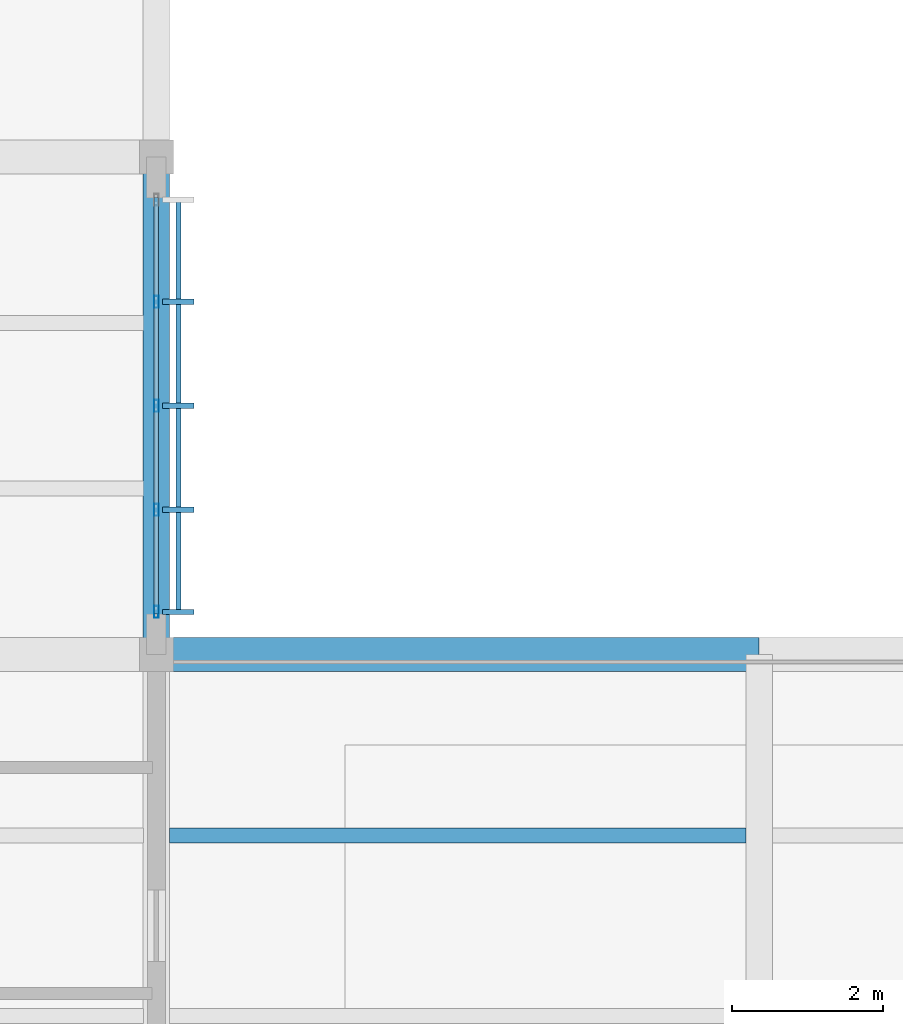
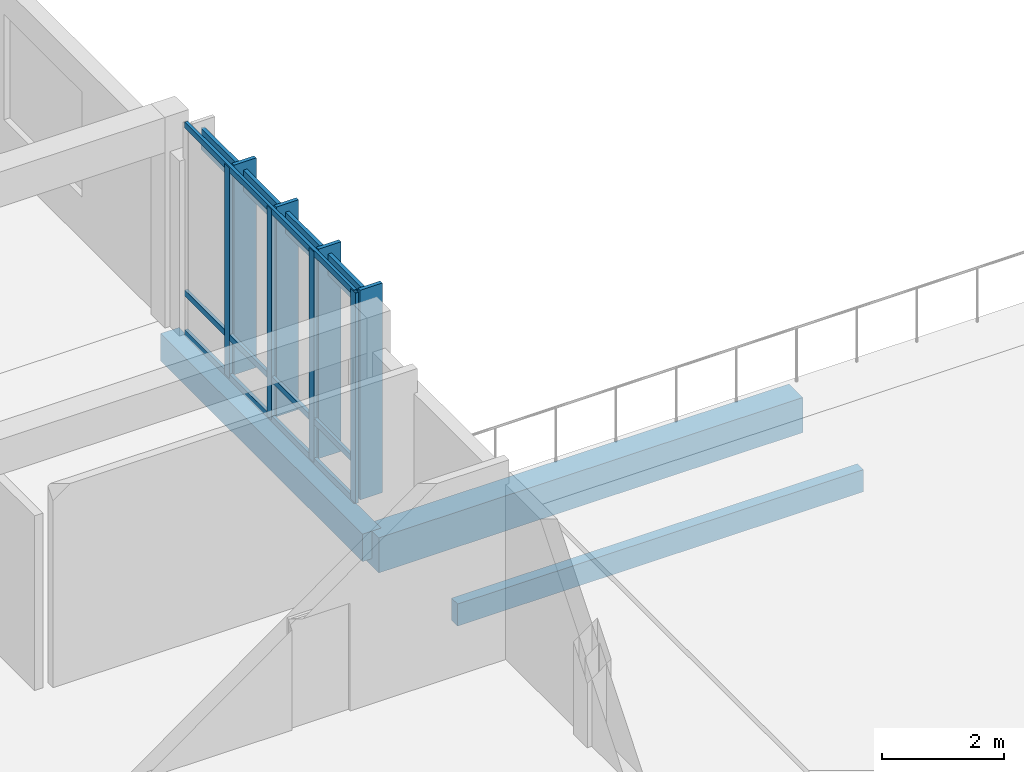
# One storey, part 13 of 107: 12 members, 3 beams, 1 element without a shape of its own.
"""IFC4 building model written with IfcOpenShell, lengths in metres."""

from ifc_helpers import new_model, si_unit, direction, frame, origin, origin_2d, place, context, subcontext, project, spatial, rectangle, hollow_rectangle, extrude, material, material_profile, profile_set, type_object, element, aggregate, save


model = new_model("IFC4")

# Units and contexts
model_context = context("Model", 3, precision=1e-05, world=origin(), true_north=direction((0.0, 1.0)))
body_context = subcontext(model_context, "Body", "Model", "MODEL_VIEW")
ifc_project = project(units=[si_unit("LENGTHUNIT", "METRE"), si_unit("AREAUNIT", "SQUARE_METRE"), si_unit("VOLUMEUNIT", "CUBIC_METRE"), si_unit("PLANEANGLEUNIT", "RADIAN"), si_unit("MASSUNIT", "GRAM", prefix="KILO")], contexts=[model_context])

# Site, building, storey
site_placement = place(None, origin())
site = spatial("IfcSite", under=ifc_project, at=site_placement, CompositionType="ELEMENT")
building_placement = place(site_placement, origin())
building = spatial("IfcBuilding", under=site, at=building_placement, Name="Chiffa Square Polytechnic", CompositionType="ELEMENT")
storey_placement = place(building_placement, frame((0.0, 0.0, 13.800048828125)))
storey = spatial("IfcBuildingStorey", under=building, at=storey_placement, Name="L03", CompositionType="ELEMENT", Elevation=13.800048828125)

# Beams
ifc_material_1 = material(Name="Concrete C35/45", Category="concrete")
ifc_material_profile_1 = material_profile(ifc_material_1, rectangle(XDim=0.35009765625, YDim=0.550048828125, at=origin_2d()), Name="RC 350x550")
ifc_profile_set_1 = profile_set([ifc_material_profile_1], Name="Concrete C35/45")
beam_type_1 = type_object("IfcBeamType", Name="BM-RC-350X550", PredefinedType="BEAM", material=ifc_profile_set_1)
beam_1_placement = place(storey_placement, frame((32.0, 51.0, -0.53515625), z_axis=(0.0, 1.0, 0.0), x_axis=(-1.0, 0.0, 0.0)))
element("IfcBeam", 1, at=beam_1_placement, inside=storey, type_object=beam_type_1, Name="Primary floor girder BM-V6-L03-Y-0320-0510", PredefinedType="BEAM", context=body_context, shape_type="SweptSolid", body=[
    extrude(rectangle(XDim=0.35009765625, YDim=0.550048828125, at=origin_2d()), origin(), (0.0, 0.0, 1.0), 6.60009765625),
])
ifc_material_profile_2 = material_profile(ifc_material_1, rectangle(XDim=0.449951171875, YDim=0.699951171875, at=origin_2d()), Name="RC 450x700")
ifc_profile_set_2 = profile_set([ifc_material_profile_2], Name="Concrete C35/45")
beam_type_2 = type_object("IfcBeamType", Name="BM-RC-450X700", PredefinedType="BEAM", material=ifc_profile_set_2)
beam_2_placement = place(storey_placement, frame((32.0, 51.0, -0.610107421875), z_axis=(1.0, 0.0, 0.0), x_axis=(0.0, 1.0, 0.0)))
element("IfcBeam", 2, at=beam_2_placement, inside=storey, type_object=beam_type_2, Name="Primary floor girder BM-V6-L03-X-0320-0510", PredefinedType="BEAM", context=body_context, shape_type="SweptSolid", body=[
    extrude(rectangle(XDim=0.449951171875, YDim=0.699951171875, at=origin_2d()), origin(), (0.0, 0.0, 1.0), 8.0),
])

# Curtain wall, members
ifc_material_2 = material(Name="Aluminium EN AW-6060 T66 and glulam shading", Category="wood")
curtain_wall_type = type_object("IfcCurtainWallType", Name="CW-VERT-480X380", PredefinedType="USERDEFINED", material=ifc_material_2)
curtain_wall_placement = place(storey_placement, origin())
curtain_wall = element("IfcCurtainWall", 3, at=curtain_wall_placement, inside=storey, type_object=curtain_wall_type, Name="Curtain wall CW-V6-L03-270", ObjectType="CURTAIN WALL", PredefinedType="USERDEFINED")
ifc_material_3 = material(Name="Aluminium EN AW-6060 T66", Category="aluminium")
ifc_material_profile_3 = material_profile(ifc_material_3, hollow_rectangle(XDim=0.06005859375, YDim=0.159912109375, WallThickness=0.00390625, at=origin_2d()), Name="ALU 60x160x4")
ifc_profile_set_3 = profile_set([ifc_material_profile_3], Name="Aluminium EN AW-6060 T66")
member_type_1 = type_object("IfcMemberType", Name="CWM-ALU-65X150", PredefinedType="MULLION", material=ifc_profile_set_3)
member_1_placement = place(storey_placement, frame((32.0, 51.56494140625, 0.0), z_axis=(0.0, 0.0, 1.0), x_axis=(1.0, 0.0, 0.0)))
member_1 = element("IfcMember", 4, at=member_1_placement, type_object=member_type_1, Name="Curtain wall mullion CW-V6-L03-270-M00", PredefinedType="MULLION", context=body_context, shape_type="SweptSolid", body=[
    extrude(hollow_rectangle(XDim=0.06005859375, YDim=0.159912109375, WallThickness=0.00390625, at=origin_2d()), origin(), (0.0, 0.0, 1.0), 4.199951171875),
])
member_2_placement = place(storey_placement, frame((32.0, 52.919921875, 0.0), z_axis=(0.0, 0.0, 1.0), x_axis=(1.0, 0.0, 0.0)))
member_2 = element("IfcMember", 5, at=member_2_placement, type_object=member_type_1, Name="Curtain wall mullion CW-V6-L03-270-M01", PredefinedType="MULLION", context=body_context, shape_type="SweptSolid", body=[
    extrude(hollow_rectangle(XDim=0.06005859375, YDim=0.159912109375, WallThickness=0.00390625, at=origin_2d()), origin(), (0.0, 0.0, 1.0), 4.199951171875),
])
member_3_placement = place(storey_placement, frame((32.0, 54.300048828125, 0.0), z_axis=(0.0, 0.0, 1.0), x_axis=(1.0, 0.0, 0.0)))
member_3 = element("IfcMember", 6, at=member_3_placement, type_object=member_type_1, Name="Curtain wall mullion CW-V6-L03-270-M02", PredefinedType="MULLION", context=body_context, shape_type="SweptSolid", body=[
    extrude(hollow_rectangle(XDim=0.06005859375, YDim=0.159912109375, WallThickness=0.00390625, at=origin_2d()), origin(), (0.0, 0.0, 1.0), 4.199951171875),
])
member_4_placement = place(storey_placement, frame((32.0, 55.679931640625, 0.0), z_axis=(0.0, 0.0, 1.0), x_axis=(1.0, 0.0, 0.0)))
member_4 = element("IfcMember", 7, at=member_4_placement, type_object=member_type_1, Name="Curtain wall mullion CW-V6-L03-270-M03", PredefinedType="MULLION", context=body_context, shape_type="SweptSolid", body=[
    extrude(hollow_rectangle(XDim=0.06005859375, YDim=0.159912109375, WallThickness=0.00390625, at=origin_2d()), origin(), (0.0, 0.0, 1.0), 4.199951171875),
])
ifc_material_4 = material(Name="Glulam GL28h", Category="wood")
ifc_material_profile_4 = material_profile(ifc_material_4, rectangle(XDim=0.070068359375, YDim=0.419921875, at=origin_2d()), Name="GL28h 70x420")
ifc_profile_set_4 = profile_set([ifc_material_profile_4], Name="Glulam GL28h")
member_type_2 = type_object("IfcMemberType", Name="CWM-GL-70X420", PredefinedType="MULLION", material=ifc_profile_set_4)
member_5_placement = place(storey_placement, frame((32.2919921875, 51.56494140625, 0.010009765625), z_axis=(0.0, 0.0, 1.0), x_axis=(0.0, 1.0, 0.0)))
member_5 = element("IfcMember", 8, at=member_5_placement, type_object=member_type_2, Name="Exterior glulam solar fin CW-V6-L03-270-FN00", PredefinedType="MULLION", context=body_context, shape_type="SweptSolid", body=[
    extrude(rectangle(XDim=0.070068359375, YDim=0.419921875, at=origin_2d()), origin(), (0.0, 0.0, 1.0), 4.179931640625),
])
member_6_placement = place(storey_placement, frame((32.2919921875, 52.919921875, 0.010009765625), z_axis=(0.0, 0.0, 1.0), x_axis=(0.0, 1.0, 0.0)))
member_6 = element("IfcMember", 9, at=member_6_placement, type_object=member_type_2, Name="Exterior glulam solar fin CW-V6-L03-270-FN01", PredefinedType="MULLION", context=body_context, shape_type="SweptSolid", body=[
    extrude(rectangle(XDim=0.070068359375, YDim=0.419921875, at=origin_2d()), origin(), (0.0, 0.0, 1.0), 4.179931640625),
])
member_7_placement = place(storey_placement, frame((32.2919921875, 54.300048828125, 0.010009765625), z_axis=(0.0, 0.0, 1.0), x_axis=(0.0, 1.0, 0.0)))
member_7 = element("IfcMember", 10, at=member_7_placement, type_object=member_type_2, Name="Exterior glulam solar fin CW-V6-L03-270-FN02", PredefinedType="MULLION", context=body_context, shape_type="SweptSolid", body=[
    extrude(rectangle(XDim=0.070068359375, YDim=0.419921875, at=origin_2d()), origin(), (0.0, 0.0, 1.0), 4.179931640625),
])
member_8_placement = place(storey_placement, frame((32.2919921875, 55.679931640625, 0.010009765625), z_axis=(0.0, 0.0, 1.0), x_axis=(0.0, 1.0, 0.0)))
member_8 = element("IfcMember", 11, at=member_8_placement, type_object=member_type_2, Name="Exterior glulam solar fin CW-V6-L03-270-FN03", PredefinedType="MULLION", context=body_context, shape_type="SweptSolid", body=[
    extrude(rectangle(XDim=0.070068359375, YDim=0.419921875, at=origin_2d()), origin(), (0.0, 0.0, 1.0), 4.179931640625),
])
ifc_material_profile_5 = material_profile(ifc_material_3, hollow_rectangle(XDim=0.06005859375, YDim=0.1201171875, WallThickness=0.00390625, at=origin_2d()), Name="ALU 60x120x4")
ifc_profile_set_5 = profile_set([ifc_material_profile_5], Name="Aluminium EN AW-6060 T66")
member_type_3 = type_object("IfcMemberType", Name="CWT-ALU-65X120", PredefinedType="USERDEFINED", material=ifc_profile_set_5)
member_9_placement = place(storey_placement, frame((32.0, 51.5380859375, 0.030029296875), z_axis=(0.0, 1.0, 0.0), x_axis=(-1.0, 0.0, 0.0)))
member_9 = element("IfcMember", 12, at=member_9_placement, type_object=member_type_3, Name="Curtain wall transom CW-V6-L03-270-T01", ObjectType="TRANSOM", PredefinedType="USERDEFINED", context=body_context, shape_type="SweptSolid", body=[
    extrude(hollow_rectangle(XDim=0.06005859375, YDim=0.1201171875, WallThickness=0.00390625, at=origin_2d()), origin(), (0.0, 0.0, 1.0), 5.52392578125),
])
member_10_placement = place(storey_placement, frame((32.0, 51.5380859375, 0.820068359375), z_axis=(0.0, 1.0, 0.0), x_axis=(-1.0, 0.0, 0.0)))
member_10 = element("IfcMember", 13, at=member_10_placement, type_object=member_type_3, Name="Curtain wall transom CW-V6-L03-270-T02", ObjectType="TRANSOM", PredefinedType="USERDEFINED", context=body_context, shape_type="SweptSolid", body=[
    extrude(hollow_rectangle(XDim=0.06005859375, YDim=0.1201171875, WallThickness=0.00390625, at=origin_2d()), origin(), (0.0, 0.0, 1.0), 5.52392578125),
])
member_11_placement = place(storey_placement, frame((32.0, 51.5380859375, 4.169921875), z_axis=(0.0, 1.0, 0.0), x_axis=(-1.0, 0.0, 0.0)))
member_11 = element("IfcMember", 14, at=member_11_placement, type_object=member_type_3, Name="Curtain wall transom CW-V6-L03-270-T03", ObjectType="TRANSOM", PredefinedType="USERDEFINED", context=body_context, shape_type="SweptSolid", body=[
    extrude(hollow_rectangle(XDim=0.06005859375, YDim=0.1201171875, WallThickness=0.00390625, at=origin_2d()), origin(), (0.0, 0.0, 1.0), 5.52392578125),
])
ifc_material_profile_6 = material_profile(ifc_material_4, rectangle(XDim=0.070068359375, YDim=0.419921875, at=origin_2d()), Name="GL28h 70x420")
ifc_profile_set_6 = profile_set([ifc_material_profile_6], Name="Glulam GL28h")
member_type_4 = type_object("IfcMemberType", Name="CWT-GL-70X420", PredefinedType="USERDEFINED", material=ifc_profile_set_6)
member_12_placement = place(storey_placement, frame((32.2919921875, 51.56494140625, 3.820068359375), z_axis=(0.0, 1.0, 0.0), x_axis=(-1.0, 0.0, 0.0)))
member_12 = element("IfcMember", 15, at=member_12_placement, type_object=member_type_4, Name="Exterior glulam brise-soleil CW-V6-L03-270-BS01", ObjectType="TRANSOM", PredefinedType="USERDEFINED", context=body_context, shape_type="SweptSolid", body=[
    extrude(rectangle(XDim=0.070068359375, YDim=0.419921875, at=origin_2d()), origin(), (0.0, 0.0, 1.0), 5.469970703125),
])
aggregate(curtain_wall, [member_1, member_5, member_2, member_6, member_3, member_7, member_4, member_8, member_9, member_10, member_11, member_12])

# Beam
ifc_material_profile_7 = material_profile(ifc_material_4, rectangle(XDim=0.199951171875, YDim=0.43994140625, at=origin_2d()), Name="GL28h 200x440")
ifc_profile_set_7 = profile_set([ifc_material_profile_7], Name="Glulam GL28h")
beam_type_3 = type_object("IfcBeamType", Name="JST-GL-200X440", PredefinedType="JOIST", material=ifc_profile_set_7)
beam_3_placement = place(storey_placement, frame((32.173095703125, 48.60009765625, -0.47998046875), z_axis=(1.0, 0.0, 0.0), x_axis=(0.0, 1.0, 0.0)))
element("IfcBeam", 16, at=beam_3_placement, inside=storey, type_object=beam_type_3, Name="Secondary floor joist JST-V6-L03-0320-0486", PredefinedType="JOIST", context=body_context, shape_type="SweptSolid", body=[
    extrude(rectangle(XDim=0.199951171875, YDim=0.43994140625, at=origin_2d()), origin(), (0.0, 0.0, 1.0), 7.65380859375),
])

save(model, "model.ifc")
